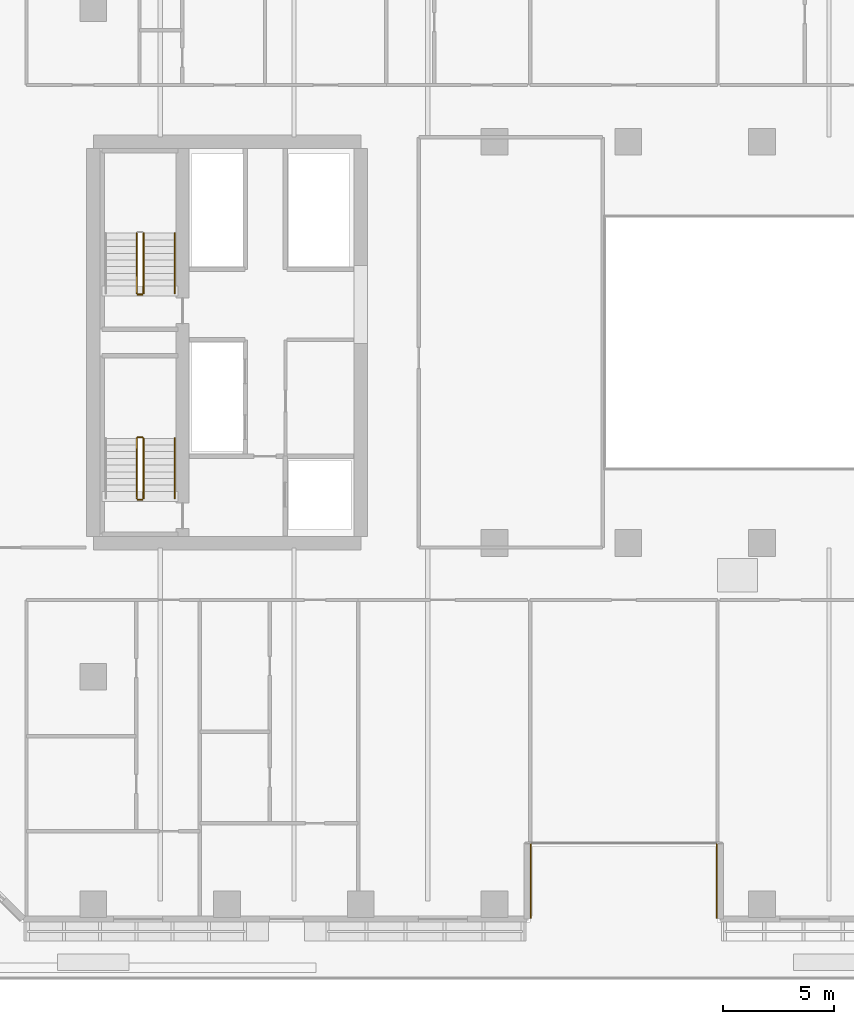
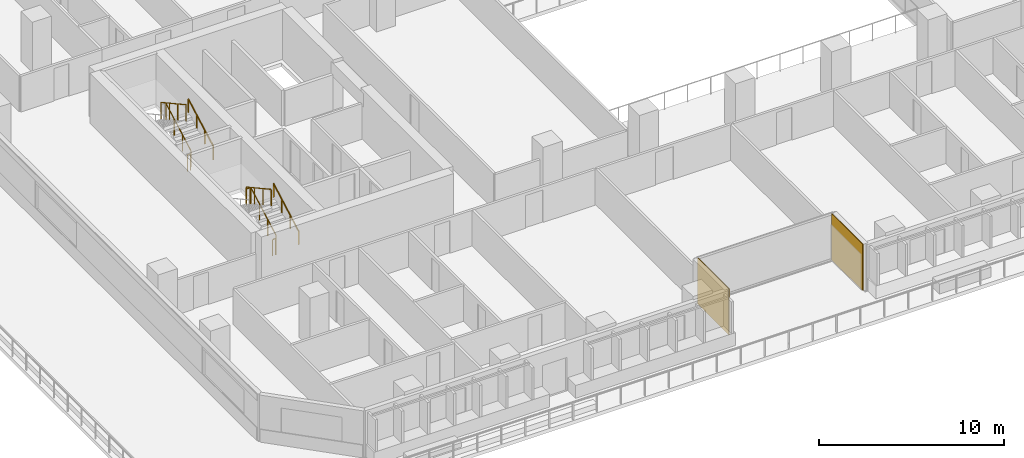
# One storey, part 15 of 23: 9 railings, 2 coverings.
"""IFC4 building model written with IfcOpenShell, lengths in metres."""

from ifc_helpers import new_model, si_unit, direction, frame, origin, origin_2d, place, context, subcontext, project, spatial, rectangle, extrude, material, layer, layer_set, type_object, element, save


model = new_model("IFC4")

# Units and contexts
model_context = context("Model", 3, precision=1e-05, world=origin(), true_north=direction((0.0, 1.0)))
body_context = subcontext(model_context, "Body", "Model", "MODEL_VIEW")
ifc_project = project(units=[si_unit("LENGTHUNIT", "METRE"), si_unit("AREAUNIT", "SQUARE_METRE"), si_unit("VOLUMEUNIT", "CUBIC_METRE"), si_unit("PLANEANGLEUNIT", "RADIAN"), si_unit("MASSUNIT", "GRAM", prefix="KILO")], contexts=[model_context])

# Site, building, storey
site_placement = place(None, origin())
site = spatial("IfcSite", under=ifc_project, at=site_placement, CompositionType="ELEMENT")
building_placement = place(site_placement, origin())
building = spatial("IfcBuilding", under=site, at=building_placement, Name="Tanjung Sevakor Pilgrim Tower", CompositionType="ELEMENT")
storey_placement = place(building_placement, frame((0.0, 0.0, 29.0400390625)))
storey = spatial("IfcBuildingStorey", under=building, at=storey_placement, Name="L07", CompositionType="ELEMENT", Elevation=29.0400390625)

# Coverings
ifc_material_1 = material(Name="Reconstructed Limestone Cladding", Category="masonry")
ifc_layer = layer(ifc_material_1, 0.044921875)
ifc_layer_set = layer_set([ifc_layer], Name="COV-CLAD-LIMESTONE")
covering_type = type_object("IfcCoveringType", Name="COV-CLAD-LIMESTONE", PredefinedType="CLADDING", material=ifc_layer_set)
for number, where, z_axis, x_axis, name in (
    (1, (43.62255859375, 9.43994140625, 0.02001953125), (0.0, 0.0, 1.0), (0.0, 1.0, 0.0), "L07 Warm Limestone Wall Cladding EW-L07-MAIN-2"),
    (2, (51.9775390625, 9.43994140625, 0.02001953125), (0.0, 0.0, 1.0), (0.0, -1.0, 0.0), "L07 Warm Limestone Wall Cladding EW-L07-MAIN-4"),
):
    element("IfcCovering", number, at=place(storey_placement, frame(where, z_axis=z_axis, x_axis=x_axis)), inside=storey, type_object=covering_type, Name=name, PredefinedType="CLADDING", context=body_context, shape_type="SweptSolid", body=[
        extrude(rectangle(XDim=3.360107421875, YDim=0.044921875, at=origin_2d()), origin(), (0.0, 0.0, 1.0), 3.0400390625),
    ])

# Railings
ifc_material_2 = material(Name="Steel S355J2", Category="steel")
railing_type_1 = type_object("IfcRailingType", Name="RL-STAIR-GUARD", PredefinedType="GUARDRAIL", material=ifc_material_2)
railing_1_placement = place(storey_placement, frame((26.25, 26.60009765625, 0.1650390625)))
element("IfcRailing", 3, at=railing_1_placement, inside=storey, type_object=railing_type_1, Name="L07 TS-W1 stair guard 1", PredefinedType="GUARDRAIL", context=body_context, shape_type="SweptSolid", body=[
    extrude(rectangle(XDim=0.0479, YDim=0.0479), frame((0.0, 0.0, 1.076171875), z_axis=(0.0, 0.876230963923, 0.481891375584), x_axis=(-1.0, 0.0, 0.0)), (0.0, 0.0, 1.0), 3.081298828125),
    extrude(rectangle(XDim=0.042, YDim=0.042), origin(), (0.0, 0.0, 1.0), 1.052001953125),
    extrude(rectangle(XDim=0.042, YDim=0.042), frame((0.0, 0.89990234375, 0.494873046875)), (0.0, 0.0, 1.0), 1.052001953125),
    extrude(rectangle(XDim=0.042, YDim=0.042), frame((0.0, 1.800048828125, 0.989990234375)), (0.0, 0.0, 1.0), 1.052001953125),
    extrude(rectangle(XDim=0.042, YDim=0.042), frame((0.0, 2.699951171875, 1.48486328125)), (0.0, 0.0, 1.0), 1.052001953125),
])
railing_2_placement = place(storey_placement, frame((26.199951171875, 29.35009765625, 1.64990234375)))
element("IfcRailing", 4, at=railing_2_placement, inside=storey, type_object=railing_type_1, Name="L07 TS-W1 stair guard 2", PredefinedType="GUARDRAIL", context=body_context, shape_type="SweptSolid", body=[
    extrude(rectangle(XDim=0.0479, YDim=0.0479), frame((0.0, 0.0, 1.076171875), z_axis=(-1.0, 0.0, 0.0), x_axis=(0.0, -1.0, 0.0)), (0.0, 0.0, 1.0), 0.199951171875),
    extrude(rectangle(XDim=0.042, YDim=0.042), origin(), (0.0, 0.0, 1.0), 1.052001953125),
    extrude(rectangle(XDim=0.042, YDim=0.042), frame((-0.199951171875, 0.0, 0.0)), (0.0, 0.0, 1.0), 1.052001953125),
])
railing_3_placement = place(storey_placement, frame((25.949951171875, 29.300048828125, 1.81494140625)))
element("IfcRailing", 5, at=railing_3_placement, inside=storey, type_object=railing_type_1, Name="L07 TS-W1 stair guard 3", PredefinedType="GUARDRAIL", context=body_context, shape_type="SweptSolid", body=[
    extrude(rectangle(XDim=0.0479, YDim=0.0479), frame((0.0, 0.0, 1.076171875), z_axis=(0.0, -0.876197507361, 0.481952205197), x_axis=(1.0, 0.0, 0.0)), (0.0, 0.0, 1.0), 3.08154296875),
    extrude(rectangle(XDim=0.042, YDim=0.042), origin(), (0.0, 0.0, 1.0), 1.052001953125),
    extrude(rectangle(XDim=0.042, YDim=0.042), frame((0.0, -0.89990234375, 0.4951171875)), (0.0, 0.0, 1.0), 1.052001953125),
    extrude(rectangle(XDim=0.042, YDim=0.042), frame((0.0, -1.800048828125, 0.989990234375)), (0.0, 0.0, 1.0), 1.052001953125),
    extrude(rectangle(XDim=0.042, YDim=0.042), frame((0.0, -2.699951171875, 1.485107421875)), (0.0, 0.0, 1.0), 1.052001953125),
])
railing_4_placement = place(storey_placement, frame((26.199951171875, 26.550048828125, 0.0)))
element("IfcRailing", 6, at=railing_4_placement, inside=storey, type_object=railing_type_1, Name="L07 TS-W1 stair guard 4", PredefinedType="GUARDRAIL", context=body_context, shape_type="SweptSolid", body=[
    extrude(rectangle(XDim=0.0479, YDim=0.0479), frame((0.0, 0.0, 1.076171875), z_axis=(-1.0, 0.0, 0.0), x_axis=(0.0, -1.0, 0.0)), (0.0, 0.0, 1.0), 0.199951171875),
    extrude(rectangle(XDim=0.042, YDim=0.042), origin(), (0.0, 0.0, 1.0), 1.052001953125),
    extrude(rectangle(XDim=0.042, YDim=0.042), frame((-0.199951171875, 0.0, 0.0)), (0.0, 0.0, 1.0), 1.052001953125),
])
railing_5_placement = place(storey_placement, frame((26.25, 35.800048828125, 0.1650390625)))
element("IfcRailing", 7, at=railing_5_placement, inside=storey, type_object=railing_type_1, Name="L07 TS-W2 stair guard 1", PredefinedType="GUARDRAIL", context=body_context, shape_type="SweptSolid", body=[
    extrude(rectangle(XDim=0.0479, YDim=0.0479), frame((0.0, 0.0, 1.076171875), z_axis=(0.0, 0.876230963923, 0.481891375584), x_axis=(-1.0, 0.0, 0.0)), (0.0, 0.0, 1.0), 3.081298828125),
    extrude(rectangle(XDim=0.042, YDim=0.042), origin(), (0.0, 0.0, 1.0), 1.052001953125),
    extrude(rectangle(XDim=0.042, YDim=0.042), frame((0.0, 0.89990234375, 0.494873046875)), (0.0, 0.0, 1.0), 1.052001953125),
    extrude(rectangle(XDim=0.042, YDim=0.042), frame((0.0, 1.800048828125, 0.989990234375)), (0.0, 0.0, 1.0), 1.052001953125),
    extrude(rectangle(XDim=0.042, YDim=0.042), frame((0.0, 2.699951171875, 1.48486328125)), (0.0, 0.0, 1.0), 1.052001953125),
])
railing_6_placement = place(storey_placement, frame((25.949951171875, 38.5, 1.81494140625)))
element("IfcRailing", 8, at=railing_6_placement, inside=storey, type_object=railing_type_1, Name="L07 TS-W2 stair guard 3", PredefinedType="GUARDRAIL", context=body_context, shape_type="SweptSolid", body=[
    extrude(rectangle(XDim=0.0479, YDim=0.0479), frame((0.0, 0.0, 1.076171875), z_axis=(0.0, -0.876197507361, 0.481952205197), x_axis=(1.0, 0.0, 0.0)), (0.0, 0.0, 1.0), 3.08154296875),
    extrude(rectangle(XDim=0.042, YDim=0.042), origin(), (0.0, 0.0, 1.0), 1.052001953125),
    extrude(rectangle(XDim=0.042, YDim=0.042), frame((0.0, -0.89990234375, 0.4951171875)), (0.0, 0.0, 1.0), 1.052001953125),
    extrude(rectangle(XDim=0.042, YDim=0.042), frame((0.0, -1.800048828125, 0.989990234375)), (0.0, 0.0, 1.0), 1.052001953125),
    extrude(rectangle(XDim=0.042, YDim=0.042), frame((0.0, -2.699951171875, 1.485107421875)), (0.0, 0.0, 1.0), 1.052001953125),
])
railing_7_placement = place(storey_placement, frame((26.199951171875, 35.75, 0.0)))
element("IfcRailing", 9, at=railing_7_placement, inside=storey, type_object=railing_type_1, Name="L07 TS-W2 stair guard 4", PredefinedType="GUARDRAIL", context=body_context, shape_type="SweptSolid", body=[
    extrude(rectangle(XDim=0.0479, YDim=0.0479), frame((0.0, 0.0, 1.076171875), z_axis=(-1.0, 0.0, 0.0), x_axis=(0.0, -1.0, 0.0)), (0.0, 0.0, 1.0), 0.199951171875),
    extrude(rectangle(XDim=0.042, YDim=0.042), origin(), (0.0, 0.0, 1.0), 1.052001953125),
    extrude(rectangle(XDim=0.042, YDim=0.042), frame((-0.199951171875, 0.0, 0.0)), (0.0, 0.0, 1.0), 1.052001953125),
])
ifc_material_3 = material(Name="Steel S355J2", Category="steel")
railing_type_2 = type_object("IfcRailingType", Name="RL-STAIR-HAND", PredefinedType="HANDRAIL", material=ifc_material_3)
for number, where, name in (
    (10, (27.64990234375, 26.60009765625, 0.1650390625), "L07 TS-W1 stair handrail 1"),
    (11, (27.64990234375, 35.800048828125, 0.1650390625), "L07 TS-W2 stair handrail 1"),
):
    element("IfcRailing", number, at=place(storey_placement, frame(where)), inside=storey, type_object=railing_type_2, Name=name, PredefinedType="HANDRAIL", context=body_context, shape_type="SweptSolid", body=[
        extrude(rectangle(XDim=0.0479, YDim=0.0479), frame((0.0, 0.0, 0.8759765625), z_axis=(0.0, 0.876230963923, 0.481891375584), x_axis=(-1.0, 0.0, 0.0)), (0.0, 0.0, 1.0), 3.081298828125),
        extrude(rectangle(XDim=0.042, YDim=0.042), origin(), (0.0, 0.0, 1.0), 0.851806640625),
        extrude(rectangle(XDim=0.042, YDim=0.042), frame((0.0, 0.89990234375, 0.494873046875)), (0.0, 0.0, 1.0), 0.851806640625),
        extrude(rectangle(XDim=0.042, YDim=0.042), frame((0.0, 1.800048828125, 0.989990234375)), (0.0, 0.0, 1.0), 0.851806640625),
        extrude(rectangle(XDim=0.042, YDim=0.042), frame((0.0, 2.699951171875, 1.48486328125)), (0.0, 0.0, 1.0), 0.851806640625),
    ])

save(model, "model.ifc")
